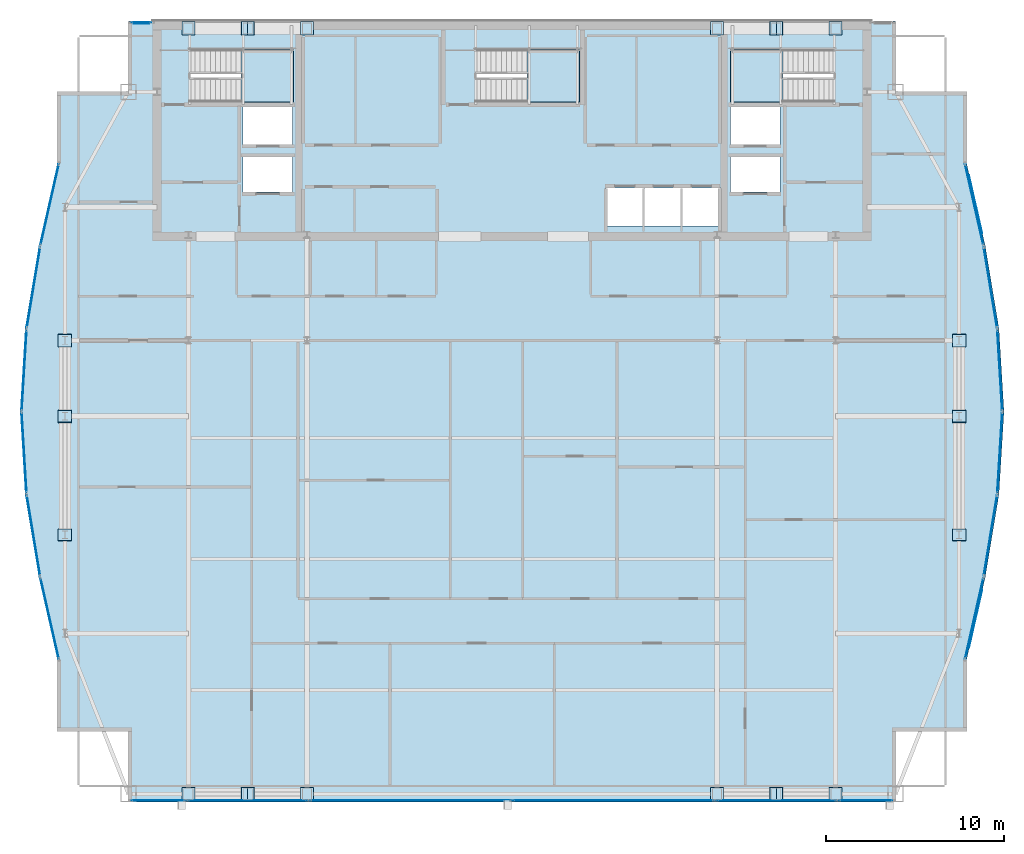
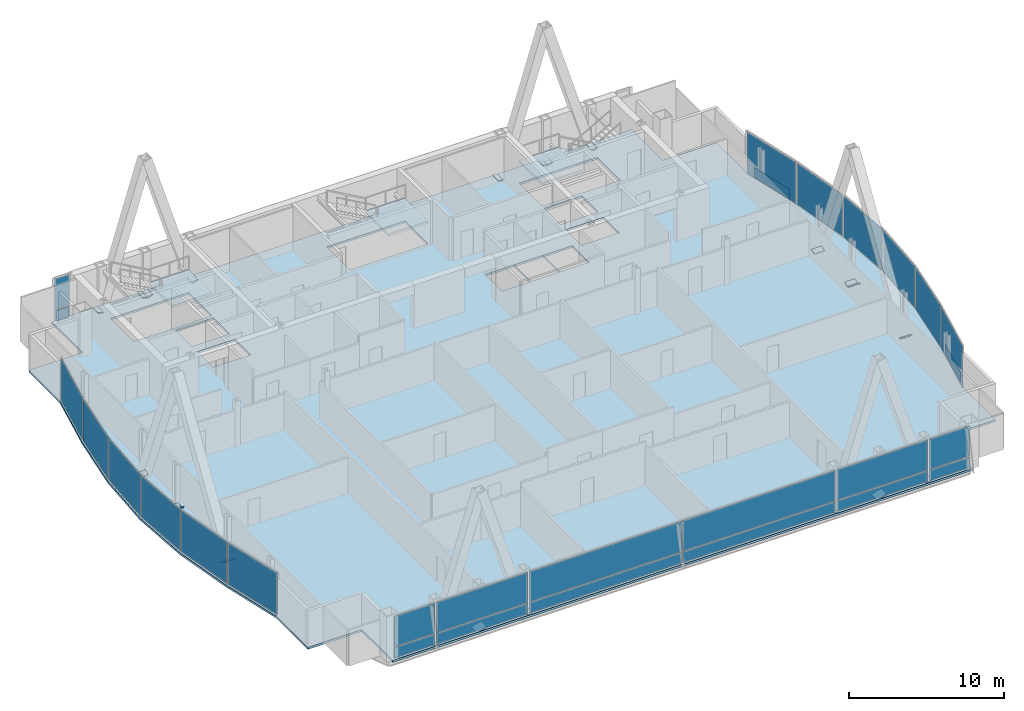
# One storey, part 25 of 31: 53 plates, 4 slabs, 21 elements without a shape of their own.
"""IFC4 building model written with IfcOpenShell, lengths in metres."""

from ifc_helpers import new_model, si_unit, direction, frame, origin, origin_2d, place, context, subcontext, project, spatial, polyline, rectangle, outline, extrude, material, layer, layer_set, type_object, element, aggregate, save


model = new_model("IFC4")

# Units and contexts
model_context = context("Model", 3, precision=1e-05, world=origin(), true_north=direction((0.0, 1.0)))
body_context = subcontext(model_context, "Body", "Model", "MODEL_VIEW")
ifc_project = project(units=[si_unit("LENGTHUNIT", "METRE"), si_unit("AREAUNIT", "SQUARE_METRE"), si_unit("VOLUMEUNIT", "CUBIC_METRE"), si_unit("PLANEANGLEUNIT", "RADIAN"), si_unit("MASSUNIT", "GRAM", prefix="KILO")], contexts=[model_context])

# Site, building, storey
site_placement = place(None, origin())
site = spatial("IfcSite", under=ifc_project, at=site_placement, CompositionType="ELEMENT")
building_placement = place(site_placement, origin())
building = spatial("IfcBuilding", under=site, at=building_placement, Name="Khoronbel Lancet Exchange", CompositionType="ELEMENT")
storey_placement = place(building_placement, frame((0.0, 0.0, 325.39990234375)))
storey = spatial("IfcBuildingStorey", under=building, at=storey_placement, Name="L84", CompositionType="ELEMENT", Elevation=325.39990234375)

# Curtain wall, plate
ifc_material_1 = material(Name="Low-E Solar Control Insulating Glass", Category="glass")
curtain_wall_type_1 = type_object("IfcCurtainWallType", Name="CW-4", PredefinedType="NOTDEFINED", material=ifc_material_1)
curtain_wall_1_placement = place(storey_placement, origin())
curtain_wall_1 = element("IfcCurtainWall", 1, at=curtain_wall_1_placement, inside=storey, type_object=curtain_wall_type_1, Name="Unitised curtain wall CW-L84-E05", PredefinedType="NOTDEFINED")
ifc_material_2 = material(Name="Bronze-Anodised Aluminium 6063-T6", Category="aluminium")
ifc_layer_1 = layer(ifc_material_2, 0.050048828125, Name="Bronze-Anodised Aluminium 6063-T6")
ifc_layer_set_1 = layer_set([ifc_layer_1], Name="Bronze-Anodised Aluminium 6063-T6")
plate_type_1 = type_object("IfcPlateType", Name="PLT-CSP1", PredefinedType="SHEET", material=ifc_layer_set_1)
plate_1_placement = place(storey_placement, frame((9.497314453125, 24.713623046875, 0.085205078125), z_axis=(0.0, 0.0, 1.0), x_axis=(-0.163334480321, 0.98657075141, 0.0)))
plate_1 = element("IfcPlate", 2, at=plate_1_placement, type_object=plate_type_1, Name="CW4 panel 1.1", PredefinedType="CURTAIN_PANEL", context=body_context, shape_type="SweptSolid", body=[
    extrude(rectangle(XDim=4.57275390625, YDim=0.0380859375, at=origin_2d()), origin(), (0.0, 0.0, 1.0), 3.27001953125),
])
aggregate(curtain_wall_1, [plate_1])

curtain_wall_2_placement = place(storey_placement, origin())
curtain_wall_2 = element("IfcCurtainWall", 3, at=curtain_wall_2_placement, inside=storey, type_object=curtain_wall_type_1, Name="Unitised curtain wall CW-L84-E06", PredefinedType="NOTDEFINED")
plate_2_placement = place(storey_placement, frame((8.970458984375, 29.37158203125, 0.085205078125), z_axis=(0.0, 0.0, 1.0), x_axis=(-0.060491177294, 0.998168731964, 0.0)))
plate_2 = element("IfcPlate", 4, at=plate_2_placement, type_object=plate_type_1, Name="CW4 panel 1.1", PredefinedType="CURTAIN_PANEL", context=body_context, shape_type="SweptSolid", body=[
    extrude(rectangle(XDim=4.51513671875, YDim=0.0380859375, at=origin_2d()), origin(), (0.0, 0.0, 1.0), 3.27001953125),
])
aggregate(curtain_wall_2, [plate_2])

curtain_wall_3_placement = place(storey_placement, origin())
curtain_wall_3 = element("IfcCurtainWall", 5, at=curtain_wall_3_placement, inside=storey, type_object=curtain_wall_type_1, Name="Unitised curtain wall CW-L84-E07", PredefinedType="NOTDEFINED")
plate_3_placement = place(storey_placement, frame((8.970458984375, 34.0283203125, 0.085205078125), z_axis=(0.0, 0.0, 1.0), x_axis=(0.060491177294, 0.998168731964, 0.0)))
plate_3 = element("IfcPlate", 6, at=plate_3_placement, type_object=plate_type_1, Name="CW4 panel 1.1", PredefinedType="CURTAIN_PANEL", context=body_context, shape_type="SweptSolid", body=[
    extrude(rectangle(XDim=4.51513671875, YDim=0.0380859375, at=origin_2d()), origin(), (0.0, 0.0, 1.0), 3.27001953125),
])
aggregate(curtain_wall_3, [plate_3])

curtain_wall_4_placement = place(storey_placement, origin())
curtain_wall_4 = element("IfcCurtainWall", 7, at=curtain_wall_4_placement, inside=storey, type_object=curtain_wall_type_1, Name="Unitised curtain wall CW-L84-E08", PredefinedType="NOTDEFINED")
plate_4_placement = place(storey_placement, frame((9.497314453125, 38.686279296875, 0.085205078125), z_axis=(0.0, 0.0, 1.0), x_axis=(0.163334480321, 0.98657075141, 0.0)))
plate_4 = element("IfcPlate", 8, at=plate_4_placement, type_object=plate_type_1, Name="CW4 panel 1.1", PredefinedType="CURTAIN_PANEL", context=body_context, shape_type="SweptSolid", body=[
    extrude(rectangle(XDim=4.57275390625, YDim=0.0380859375, at=origin_2d()), origin(), (0.0, 0.0, 1.0), 3.27001953125),
])
aggregate(curtain_wall_4, [plate_4])

curtain_wall_type_2 = type_object("IfcCurtainWallType", Name="CW-3", PredefinedType="NOTDEFINED", material=ifc_material_1)
curtain_wall_5_placement = place(storey_placement, origin())
curtain_wall_5 = element("IfcCurtainWall", 9, at=curtain_wall_5_placement, inside=storey, type_object=curtain_wall_type_2, Name="Unitised curtain wall CW-L84-NWFLK", PredefinedType="NOTDEFINED")
plate_5_placement = place(storey_placement, frame((15.580078125, 53.550048828125, 0.05029296875), z_axis=(0.0, 0.0, 1.0), x_axis=(-1.0, 0.0, 0.0)))
plate_5 = element("IfcPlate", 10, at=plate_5_placement, type_object=plate_type_1, Name="Insulated bronze spandrel cassette CW-L84-NWFLK", PredefinedType="SHEET", context=body_context, shape_type="SweptSolid", body=[
    extrude(rectangle(XDim=0.89599609375, YDim=0.050048828125, at=origin_2d()), origin(), (0.0, 0.0, 1.0), 0.800048828125),
])

curtain_wall_6_placement = place(storey_placement, origin())
curtain_wall_6 = element("IfcCurtainWall", 11, at=curtain_wall_6_placement, inside=storey, type_object=curtain_wall_type_1, Name="Unitised curtain wall CW-L84-E17", PredefinedType="NOTDEFINED")
plate_6_placement = place(storey_placement, frame((62.547119140625, 43.3662109375, 0.05029296875), z_axis=(0.0, 0.0, 1.0), x_axis=(0.220579196078, -0.975369067716, 0.0)))
plate_6 = element("IfcPlate", 12, at=plate_6_placement, type_object=plate_type_1, Name="Insulated bronze spandrel cassette CW-L84-E17", PredefinedType="SHEET", context=body_context, shape_type="SweptSolid", body=[
    extrude(rectangle(XDim=3.3544921875, YDim=0.050048828125, at=origin_2d()), origin(), (0.0, 0.0, 1.0), 0.800048828125),
])

curtain_wall_7_placement = place(storey_placement, origin())
curtain_wall_7 = element("IfcCurtainWall", 13, at=curtain_wall_7_placement, inside=storey, type_object=curtain_wall_type_1, Name="Unitised curtain wall CW-L84-E18", PredefinedType="NOTDEFINED")
plate_7_placement = place(storey_placement, frame((63.402587890625, 38.686279296875, 0.085205078125), z_axis=(0.0, 0.0, 1.0), x_axis=(0.163334480321, -0.98657075141, 0.0)))
plate_7 = element("IfcPlate", 14, at=plate_7_placement, type_object=plate_type_1, Name="CW4 panel 1.1", PredefinedType="CURTAIN_PANEL", context=body_context, shape_type="SweptSolid", body=[
    extrude(rectangle(XDim=4.57275390625, YDim=0.0380859375, at=origin_2d()), origin(), (0.0, 0.0, 1.0), 3.27001953125),
])
aggregate(curtain_wall_7, [plate_7])

curtain_wall_8_placement = place(storey_placement, origin())
curtain_wall_8 = element("IfcCurtainWall", 15, at=curtain_wall_8_placement, inside=storey, type_object=curtain_wall_type_1, Name="Unitised curtain wall CW-L84-E19", PredefinedType="NOTDEFINED")
plate_8_placement = place(storey_placement, frame((63.929443359375, 34.0283203125, 0.085205078125), z_axis=(0.0, 0.0, 1.0), x_axis=(0.060491177294, -0.998168731964, 0.0)))
plate_8 = element("IfcPlate", 16, at=plate_8_placement, type_object=plate_type_1, Name="CW4 panel 1.1", PredefinedType="CURTAIN_PANEL", context=body_context, shape_type="SweptSolid", body=[
    extrude(rectangle(XDim=4.51513671875, YDim=0.0380859375, at=origin_2d()), origin(), (0.0, 0.0, 1.0), 3.27001953125),
])
aggregate(curtain_wall_8, [plate_8])

curtain_wall_9_placement = place(storey_placement, origin())
curtain_wall_9 = element("IfcCurtainWall", 17, at=curtain_wall_9_placement, inside=storey, type_object=curtain_wall_type_1, Name="Unitised curtain wall CW-L84-E20", PredefinedType="NOTDEFINED")
plate_9_placement = place(storey_placement, frame((63.929443359375, 29.37158203125, 0.085205078125), z_axis=(0.0, 0.0, 1.0), x_axis=(-0.060491177294, -0.998168731964, 0.0)))
plate_9 = element("IfcPlate", 18, at=plate_9_placement, type_object=plate_type_1, Name="CW4 panel 1.1", PredefinedType="CURTAIN_PANEL", context=body_context, shape_type="SweptSolid", body=[
    extrude(rectangle(XDim=4.51513671875, YDim=0.0380859375, at=origin_2d()), origin(), (0.0, 0.0, 1.0), 3.27001953125),
])
aggregate(curtain_wall_9, [plate_9])

curtain_wall_10_placement = place(storey_placement, origin())
curtain_wall_10 = element("IfcCurtainWall", 19, at=curtain_wall_10_placement, inside=storey, type_object=curtain_wall_type_1, Name="Unitised curtain wall CW-L84-E21", PredefinedType="NOTDEFINED")
plate_10_placement = place(storey_placement, frame((63.402587890625, 24.713623046875, 0.085205078125), z_axis=(0.0, 0.0, 1.0), x_axis=(-0.163334480321, -0.98657075141, 0.0)))
plate_10 = element("IfcPlate", 20, at=plate_10_placement, type_object=plate_type_1, Name="CW4 panel 1.1", PredefinedType="CURTAIN_PANEL", context=body_context, shape_type="SweptSolid", body=[
    extrude(rectangle(XDim=4.57275390625, YDim=0.0380859375, at=origin_2d()), origin(), (0.0, 0.0, 1.0), 3.27001953125),
])
aggregate(curtain_wall_10, [plate_10])

curtain_wall_11_placement = place(storey_placement, origin())
curtain_wall_11 = element("IfcCurtainWall", 21, at=curtain_wall_11_placement, inside=storey, type_object=curtain_wall_type_1, Name="Unitised curtain wall CW-L84-E22", PredefinedType="NOTDEFINED")
plate_11_placement = place(storey_placement, frame((62.547119140625, 20.03369140625, 0.05029296875), z_axis=(0.0, 0.0, 1.0), x_axis=(-0.220579196078, -0.975369067716, 0.0)))
plate_11 = element("IfcPlate", 22, at=plate_11_placement, type_object=plate_type_1, Name="Insulated bronze spandrel cassette CW-L84-E22", PredefinedType="SHEET", context=body_context, shape_type="SweptSolid", body=[
    extrude(rectangle(XDim=3.3544921875, YDim=0.050048828125, at=origin_2d()), origin(), (0.0, 0.0, 1.0), 0.800048828125),
])

# Curtain wall, plates
curtain_wall_12_placement = place(storey_placement, origin())
curtain_wall_12 = element("IfcCurtainWall", 23, at=curtain_wall_12_placement, inside=storey, type_object=curtain_wall_type_2, Name="Unitised curtain wall CW-L84-SWB", PredefinedType="NOTDEFINED")
plate_12_placement = place(storey_placement, frame((21.550048828125, 9.7900390625, 0.0849609375), z_axis=(0.0, 0.0, 1.0), x_axis=(1.0, 0.0, 0.0)))
plate_12 = element("IfcPlate", 24, at=plate_12_placement, type_object=plate_type_1, Name="CW3 panel 1.1", PredefinedType="CURTAIN_PANEL", context=body_context, shape_type="SweptSolid", body=[
    extrude(rectangle(XDim=6.72998046875, YDim=0.0380859375, at=origin_2d()), origin(), (0.0, 0.0, 1.0), 0.822509765625),
])
plate_13_placement = place(storey_placement, frame((21.550048828125, 9.7900390625, 0.99267578125), z_axis=(0.0, 0.0, 1.0), x_axis=(1.0, 0.0, 0.0)))
plate_13 = element("IfcPlate", 25, at=plate_13_placement, type_object=plate_type_1, Name="CW3 panel 1.2", PredefinedType="CURTAIN_PANEL", context=body_context, shape_type="SweptSolid", body=[
    extrude(rectangle(XDim=6.72998046875, YDim=0.0380859375, at=origin_2d()), origin(), (0.0, 0.0, 1.0), 2.362548828125),
])
aggregate(curtain_wall_12, [plate_12, plate_13])

curtain_wall_13_placement = place(storey_placement, origin())
curtain_wall_13 = element("IfcCurtainWall", 26, at=curtain_wall_13_placement, inside=storey, type_object=curtain_wall_type_2, Name="Unitised curtain wall CW-L84-SEB", PredefinedType="NOTDEFINED")
plate_14_placement = place(storey_placement, frame((51.35009765625, 9.7900390625, 0.0849609375), z_axis=(0.0, 0.0, 1.0), x_axis=(1.0, 0.0, 0.0)))
plate_14 = element("IfcPlate", 27, at=plate_14_placement, type_object=plate_type_1, Name="CW3 panel 1.1", PredefinedType="CURTAIN_PANEL", context=body_context, shape_type="SweptSolid", body=[
    extrude(rectangle(XDim=6.72998046875, YDim=0.0380859375, at=origin_2d()), origin(), (0.0, 0.0, 1.0), 0.822509765625),
])
plate_15_placement = place(storey_placement, frame((51.35009765625, 9.7900390625, 0.99267578125), z_axis=(0.0, 0.0, 1.0), x_axis=(1.0, 0.0, 0.0)))
plate_15 = element("IfcPlate", 28, at=plate_15_placement, type_object=plate_type_1, Name="CW3 panel 1.2", PredefinedType="CURTAIN_PANEL", context=body_context, shape_type="SweptSolid", body=[
    extrude(rectangle(XDim=6.72998046875, YDim=0.0380859375, at=origin_2d()), origin(), (0.0, 0.0, 1.0), 2.362548828125),
])
aggregate(curtain_wall_13, [plate_14, plate_15])

# Plate
ifc_layer_2 = layer(ifc_material_1, 0.035888671875, Name="Low-E Solar Control Insulating Glass")
ifc_layer_set_2 = layer_set([ifc_layer_2], Name="Low-E Solar Control Insulating Glass")
plate_type_2 = type_object("IfcPlateType", Name="PLT-CWP1", PredefinedType="CURTAIN_PANEL", material=ifc_layer_set_2)
plate_16_placement = place(storey_placement, frame((15.580078125, 53.610107421875, 0.0849609375), z_axis=(0.0, 0.0, 1.0), x_axis=(-1.0, 0.0, 0.0)))
plate_16 = element("IfcPlate", 29, at=plate_16_placement, type_object=plate_type_2, Name="CW3 panel 1.1", PredefinedType="CURTAIN_PANEL", context=body_context, shape_type="SweptSolid", body=[
    extrude(rectangle(XDim=1.110107421875, YDim=0.0380859375, at=origin_2d()), origin(), (0.0, 0.0, 1.0), 0.822509765625),
])

plate_17_placement = place(storey_placement, frame((15.580078125, 53.610107421875, 0.99267578125), z_axis=(0.0, 0.0, 1.0), x_axis=(-1.0, 0.0, 0.0)))
plate_17 = element("IfcPlate", 30, at=plate_17_placement, type_object=plate_type_2, Name="CW3 panel 1.2", PredefinedType="CURTAIN_PANEL", context=body_context, shape_type="SweptSolid", body=[
    extrude(rectangle(XDim=1.110107421875, YDim=0.0380859375, at=origin_2d()), origin(), (0.0, 0.0, 1.0), 2.362548828125),
])

aggregate(curtain_wall_5, [plate_16, plate_17, plate_5])

# Curtain wall, plates
curtain_wall_14_placement = place(storey_placement, origin())
curtain_wall_14 = element("IfcCurtainWall", 31, at=curtain_wall_14_placement, inside=storey, type_object=curtain_wall_type_2, Name="Unitised curtain wall CW-L84-SWV", PredefinedType="NOTDEFINED")
plate_18_placement = place(storey_placement, frame((16.52001953125, 9.7900390625, 0.0849609375), z_axis=(0.0, 0.0, 1.0), x_axis=(1.0, 0.0, 0.0)))
plate_18 = element("IfcPlate", 32, at=plate_18_placement, type_object=plate_type_2, Name="CW3 panel 1.1", PredefinedType="CURTAIN_PANEL", context=body_context, shape_type="SweptSolid", body=[
    extrude(rectangle(XDim=2.989990234375, YDim=0.0380859375, at=origin_2d()), origin(), (0.0, 0.0, 1.0), 0.822509765625),
])
plate_19_placement = place(storey_placement, frame((16.52001953125, 9.7900390625, 0.99267578125), z_axis=(0.0, 0.0, 1.0), x_axis=(1.0, 0.0, 0.0)))
plate_19 = element("IfcPlate", 33, at=plate_19_placement, type_object=plate_type_2, Name="CW3 panel 1.2", PredefinedType="CURTAIN_PANEL", context=body_context, shape_type="SweptSolid", body=[
    extrude(rectangle(XDim=2.989990234375, YDim=0.0380859375, at=origin_2d()), origin(), (0.0, 0.0, 1.0), 2.362548828125),
])
aggregate(curtain_wall_14, [plate_18, plate_19])

curtain_wall_15_placement = place(storey_placement, origin())
curtain_wall_15 = element("IfcCurtainWall", 34, at=curtain_wall_15_placement, inside=storey, type_object=curtain_wall_type_2, Name="Unitised curtain wall CW-L84-SCV", PredefinedType="NOTDEFINED")
plate_20_placement = place(storey_placement, frame((30.746337890625, 9.7900390625, 0.0849609375), z_axis=(0.0, 0.0, 1.0), x_axis=(1.0, 0.0, 0.0)))
plate_20 = element("IfcPlate", 35, at=plate_20_placement, type_object=plate_type_2, Name="CW3 panel 1.1", PredefinedType="CURTAIN_PANEL", context=body_context, shape_type="SweptSolid", body=[
    extrude(rectangle(XDim=11.322509765625, YDim=0.0380859375, at=origin_2d()), origin(), (0.0, 0.0, 1.0), 0.822509765625),
])
plate_21_placement = place(storey_placement, frame((30.746337890625, 9.7900390625, 0.99267578125), z_axis=(0.0, 0.0, 1.0), x_axis=(1.0, 0.0, 0.0)))
plate_21 = element("IfcPlate", 36, at=plate_21_placement, type_object=plate_type_2, Name="CW3 panel 1.2", PredefinedType="CURTAIN_PANEL", context=body_context, shape_type="SweptSolid", body=[
    extrude(rectangle(XDim=11.322509765625, YDim=0.0380859375, at=origin_2d()), origin(), (0.0, 0.0, 1.0), 2.362548828125),
])
plate_22_placement = place(storey_placement, frame((42.15380859375, 9.7900390625, 0.0849609375), z_axis=(0.0, 0.0, 1.0), x_axis=(1.0, 0.0, 0.0)))
plate_22 = element("IfcPlate", 37, at=plate_22_placement, type_object=plate_type_2, Name="CW3 panel 2.1", PredefinedType="CURTAIN_PANEL", context=body_context, shape_type="SweptSolid", body=[
    extrude(rectangle(XDim=11.322509765625, YDim=0.0380859375, at=origin_2d()), origin(), (0.0, 0.0, 1.0), 0.822509765625),
])
plate_23_placement = place(storey_placement, frame((42.15380859375, 9.7900390625, 0.99267578125), z_axis=(0.0, 0.0, 1.0), x_axis=(1.0, 0.0, 0.0)))
plate_23 = element("IfcPlate", 38, at=plate_23_placement, type_object=plate_type_2, Name="CW3 panel 2.2", PredefinedType="CURTAIN_PANEL", context=body_context, shape_type="SweptSolid", body=[
    extrude(rectangle(XDim=11.322509765625, YDim=0.0380859375, at=origin_2d()), origin(), (0.0, 0.0, 1.0), 2.362548828125),
])
aggregate(curtain_wall_15, [plate_20, plate_21, plate_22, plate_23])

curtain_wall_16_placement = place(storey_placement, origin())
curtain_wall_16 = element("IfcCurtainWall", 39, at=curtain_wall_16_placement, inside=storey, type_object=curtain_wall_type_2, Name="Unitised curtain wall CW-L84-SEV", PredefinedType="NOTDEFINED")
plate_24_placement = place(storey_placement, frame((56.3798828125, 9.7900390625, 0.0849609375), z_axis=(0.0, 0.0, 1.0), x_axis=(1.0, 0.0, 0.0)))
plate_24 = element("IfcPlate", 40, at=plate_24_placement, type_object=plate_type_2, Name="CW3 panel 1.1", PredefinedType="CURTAIN_PANEL", context=body_context, shape_type="SweptSolid", body=[
    extrude(rectangle(XDim=2.989990234375, YDim=0.0380859375, at=origin_2d()), origin(), (0.0, 0.0, 1.0), 0.822509765625),
])
plate_25_placement = place(storey_placement, frame((56.3798828125, 9.7900390625, 0.99267578125), z_axis=(0.0, 0.0, 1.0), x_axis=(1.0, 0.0, 0.0)))
plate_25 = element("IfcPlate", 41, at=plate_25_placement, type_object=plate_type_2, Name="CW3 panel 1.2", PredefinedType="CURTAIN_PANEL", context=body_context, shape_type="SweptSolid", body=[
    extrude(rectangle(XDim=2.989990234375, YDim=0.0380859375, at=origin_2d()), origin(), (0.0, 0.0, 1.0), 2.362548828125),
])
aggregate(curtain_wall_16, [plate_24, plate_25])

# Curtain wall, plate
curtain_wall_17_placement = place(storey_placement, origin())
curtain_wall_17 = element("IfcCurtainWall", 42, at=curtain_wall_17_placement, inside=storey, type_object=curtain_wall_type_1, Name="Unitised curtain wall CW-L84-E04", PredefinedType="NOTDEFINED")
ifc_material_3 = material(Name="Ceramic-Fritted Laminated Insulating Glass", Category="glass")
ifc_layer_3 = layer(ifc_material_3, 0.0419921875, Name="Ceramic-Fritted Laminated Insulating Glass")
ifc_layer_set_3 = layer_set([ifc_layer_3], Name="Ceramic-Fritted Laminated Insulating Glass")
plate_type_3 = type_object("IfcPlateType", Name="PLT-CWP2", PredefinedType="CURTAIN_PANEL", material=ifc_layer_set_3)
plate_26_placement = place(storey_placement, frame((10.41162109375, 20.047119140625, 0.085205078125), z_axis=(0.0, 0.0, 1.0), x_axis=(-0.220579196078, 0.975369067716, 0.0)))
plate_26 = element("IfcPlate", 43, at=plate_26_placement, type_object=plate_type_3, Name="CW4 panel 1.1", PredefinedType="CURTAIN_PANEL", context=body_context, shape_type="SweptSolid", body=[
    extrude(rectangle(XDim=4.641845703125, YDim=0.0380859375, at=origin_2d()), origin(), (0.0, 0.0, 1.0), 3.27001953125),
])
aggregate(curtain_wall_17, [plate_26])

curtain_wall_18_placement = place(storey_placement, origin())
curtain_wall_18 = element("IfcCurtainWall", 44, at=curtain_wall_18_placement, inside=storey, type_object=curtain_wall_type_1, Name="Unitised curtain wall CW-L84-E09", PredefinedType="NOTDEFINED")
plate_27_placement = place(storey_placement, frame((10.41162109375, 43.35302734375, 0.085205078125), z_axis=(0.0, 0.0, 1.0), x_axis=(0.220579196078, 0.975369067716, 0.0)))
plate_27 = element("IfcPlate", 45, at=plate_27_placement, type_object=plate_type_3, Name="CW4 panel 1.1", PredefinedType="CURTAIN_PANEL", context=body_context, shape_type="SweptSolid", body=[
    extrude(rectangle(XDim=4.641845703125, YDim=0.0380859375, at=origin_2d()), origin(), (0.0, 0.0, 1.0), 3.27001953125),
])
aggregate(curtain_wall_18, [plate_27])

# Plate
plate_28_placement = place(storey_placement, frame((62.488525390625, 43.35302734375, 0.085205078125), z_axis=(0.0, 0.0, 1.0), x_axis=(0.220579196078, -0.975369067716, 0.0)))
plate_28 = element("IfcPlate", 46, at=plate_28_placement, type_object=plate_type_3, Name="CW4 panel 1.1", PredefinedType="CURTAIN_PANEL", context=body_context, shape_type="SweptSolid", body=[
    extrude(rectangle(XDim=4.641845703125, YDim=0.0380859375, at=origin_2d()), origin(), (0.0, 0.0, 1.0), 3.27001953125),
])

aggregate(curtain_wall_6, [plate_28, plate_6])

plate_29_placement = place(storey_placement, frame((62.488525390625, 20.047119140625, 0.085205078125), z_axis=(0.0, 0.0, 1.0), x_axis=(-0.220579196078, -0.975369067716, 0.0)))
plate_29 = element("IfcPlate", 47, at=plate_29_placement, type_object=plate_type_3, Name="CW4 panel 1.1", PredefinedType="CURTAIN_PANEL", context=body_context, shape_type="SweptSolid", body=[
    extrude(rectangle(XDim=4.641845703125, YDim=0.0380859375, at=origin_2d()), origin(), (0.0, 0.0, 1.0), 3.27001953125),
])

aggregate(curtain_wall_11, [plate_29, plate_11])

# Plates
ifc_material_4 = material(Name="Steel S460", Category="steel")
ifc_layer_4 = layer(ifc_material_4, 0.044921875, Name="Steel S460")
ifc_layer_set_4 = layer_set([ifc_layer_4], Name="Steel S460")
plate_type_4 = type_object("IfcPlateType", Name="PLT-ECP1", PredefinedType="USERDEFINED", material=ifc_layer_set_4)
for number, where, z_axis, x_axis, name in (
    (48, (21.935302734375, 9.77001953125, -0.08056640625), (0.295236958021, 0.0, 0.955424062193), (0.0, 1.0, 0.0), "Hollow end cap plate PLT-CAP-MEM-MB-T28-S-W-L-1"),
    (49, (21.189697265625, 10.530029296875, -0.08056640625), (-0.295236958021, 0.0, 0.955424062193), (0.0, -1.0, 0.0), "Hollow end cap plate PLT-CAP-MEM-MB-T28-S-W-R-1"),
    (50, (51.710205078125, 9.77001953125, -0.08056640625), (0.295236958021, 0.0, 0.955424062193), (0.0, 1.0, 0.0), "Hollow end cap plate PLT-CAP-MEM-MB-T28-S-E-L-1"),
):
    element("IfcPlate", number, at=place(storey_placement, frame(where, z_axis=z_axis, x_axis=x_axis)), inside=storey, type_object=plate_type_4, Name=name, ObjectType="STIFFENER_PLATE", PredefinedType="USERDEFINED", context=body_context, shape_type="SweptSolid", body=[
        extrude(outline(polyline([(0.0, 0.0), (0.760009765625, 0.0), (0.760009765625, 0.760009765625), (0.0, 0.760009765625), (0.0, 0.0)])), origin(), (0.0, 0.0, -1.0), 0.044921875),
    ])
plate_30_placement = place(storey_placement, frame((50.964599609375, 10.530029296875, -0.08056640625), z_axis=(-0.295146364908, 0.0, 0.955452051796), x_axis=(0.0, -1.0, 0.0)))
element("IfcPlate", 51, at=plate_30_placement, inside=storey, type_object=plate_type_4, Name="Hollow end cap plate PLT-CAP-MEM-MB-T28-S-E-R-1", ObjectType="STIFFENER_PLATE", PredefinedType="USERDEFINED", context=body_context, shape_type="SweptSolid", body=[
    extrude(outline(polyline([(0.0, 0.0), (0.760009765625, 0.0), (0.760009765625, 0.76025390625), (0.0, 0.76025390625), (0.0, 0.0)])), origin(), (0.0, 0.0, -1.0), 0.044921875),
])
for number, where, z_axis, x_axis, name in (
    (52, (21.935302734375, 52.89990234375, -0.08056640625), (0.295236958021, 0.0, 0.955424062193), (0.0, 1.0, 0.0), "Hollow end cap plate PLT-CAP-MEM-MB-T28-N-W-L-1"),
    (53, (21.189697265625, 53.659912109375, -0.08056640625), (-0.295236958021, 0.0, 0.955424062193), (0.0, -1.0, 0.0), "Hollow end cap plate PLT-CAP-MEM-MB-T28-N-W-R-1"),
    (54, (51.710205078125, 52.89990234375, -0.08056640625), (0.295236958021, 0.0, 0.955424062193), (0.0, 1.0, 0.0), "Hollow end cap plate PLT-CAP-MEM-MB-T28-N-E-L-1"),
):
    element("IfcPlate", number, at=place(storey_placement, frame(where, z_axis=z_axis, x_axis=x_axis)), inside=storey, type_object=plate_type_4, Name=name, ObjectType="STIFFENER_PLATE", PredefinedType="USERDEFINED", context=body_context, shape_type="SweptSolid", body=[
        extrude(outline(polyline([(0.0, 0.0), (0.760009765625, 0.0), (0.760009765625, 0.760009765625), (0.0, 0.760009765625), (0.0, 0.0)])), origin(), (0.0, 0.0, -1.0), 0.044921875),
    ])
plate_31_placement = place(storey_placement, frame((50.964599609375, 53.659912109375, -0.08056640625), z_axis=(-0.295146364908, 0.0, 0.955452051796), x_axis=(0.0, -1.0, 0.0)))
element("IfcPlate", 55, at=plate_31_placement, inside=storey, type_object=plate_type_4, Name="Hollow end cap plate PLT-CAP-MEM-MB-T28-N-E-R-1", ObjectType="STIFFENER_PLATE", PredefinedType="USERDEFINED", context=body_context, shape_type="SweptSolid", body=[
    extrude(outline(polyline([(0.0, 0.0), (0.760009765625, 0.0), (0.760009765625, 0.76025390625), (0.0, 0.76025390625), (0.0, 0.0)])), origin(), (0.0, 0.0, -1.0), 0.044921875),
])
for number, where, z_axis, x_axis, name in (
    (56, (11.64990234375, 31.765625, -0.171630859375), (0.0, 0.525834774126, 0.850586732979), (-1.0, 0.0, 0.0), "Hollow end cap plate PLT-CAP-MEM-MB-T28-W-P-L-1"),
    (57, (10.889892578125, 31.0595703125, -0.109130859375), (0.0, -0.368175750156, 0.929756213745), (1.0, 0.0, 0.0), "Hollow end cap plate PLT-CAP-MEM-MB-T28-W-P-R-1"),
    (58, (62.010009765625, 31.765625, -0.171630859375), (0.0, 0.525834774126, 0.850586732979), (-1.0, 0.0, 0.0), "Hollow end cap plate PLT-CAP-MEM-MB-T28-E-P-L-1"),
    (59, (61.25, 31.0595703125, -0.109130859375), (0.0, -0.368175750156, 0.929756213745), (1.0, 0.0, 0.0), "Hollow end cap plate PLT-CAP-MEM-MB-T28-E-P-R-1"),
    (60, (18.591552734375, 9.77001953125, -0.1005859375), (0.295236958021, 0.0, 0.955424062193), (0.0, 1.0, 0.0), "Hollow end cap plate PLT-CAP-MEM-MB-T29-S-W-L-0"),
    (61, (24.533447265625, 10.530029296875, -0.1005859375), (-0.295236958021, 0.0, 0.955424062193), (0.0, -1.0, 0.0), "Hollow end cap plate PLT-CAP-MEM-MB-T29-S-W-R-0"),
):
    element("IfcPlate", number, at=place(storey_placement, frame(where, z_axis=z_axis, x_axis=x_axis)), inside=storey, type_object=plate_type_4, Name=name, ObjectType="STIFFENER_PLATE", PredefinedType="USERDEFINED", context=body_context, shape_type="SweptSolid", body=[
        extrude(outline(polyline([(0.0, 0.0), (0.760009765625, 0.0), (0.760009765625, 0.760009765625), (0.0, 0.760009765625), (0.0, 0.0)])), origin(), (0.0, 0.0, -1.0), 0.044921875),
    ])
plate_32_placement = place(storey_placement, frame((48.36669921875, 9.77001953125, -0.1005859375), z_axis=(0.295146364908, 0.0, 0.955452051796), x_axis=(0.0, 1.0, 0.0)))
element("IfcPlate", 62, at=plate_32_placement, inside=storey, type_object=plate_type_4, Name="Hollow end cap plate PLT-CAP-MEM-MB-T29-S-E-L-0", ObjectType="STIFFENER_PLATE", PredefinedType="USERDEFINED", context=body_context, shape_type="SweptSolid", body=[
    extrude(outline(polyline([(0.0, 0.0), (0.760009765625, 0.0), (0.760009765625, 0.76025390625), (0.0, 0.76025390625), (0.0, 0.0)])), origin(), (0.0, 0.0, -1.0), 0.044921875),
])
for number, where, z_axis, x_axis, name in (
    (63, (54.308349609375, 10.530029296875, -0.1005859375), (-0.295236958021, 0.0, 0.955424062193), (0.0, -1.0, 0.0), "Hollow end cap plate PLT-CAP-MEM-MB-T29-S-E-R-0"),
    (64, (18.591552734375, 52.89990234375, -0.1005859375), (0.295236958021, 0.0, 0.955424062193), (0.0, 1.0, 0.0), "Hollow end cap plate PLT-CAP-MEM-MB-T29-N-W-L-0"),
    (65, (24.533447265625, 53.659912109375, -0.1005859375), (-0.295236958021, 0.0, 0.955424062193), (0.0, -1.0, 0.0), "Hollow end cap plate PLT-CAP-MEM-MB-T29-N-W-R-0"),
):
    element("IfcPlate", number, at=place(storey_placement, frame(where, z_axis=z_axis, x_axis=x_axis)), inside=storey, type_object=plate_type_4, Name=name, ObjectType="STIFFENER_PLATE", PredefinedType="USERDEFINED", context=body_context, shape_type="SweptSolid", body=[
        extrude(outline(polyline([(0.0, 0.0), (0.760009765625, 0.0), (0.760009765625, 0.760009765625), (0.0, 0.760009765625), (0.0, 0.0)])), origin(), (0.0, 0.0, -1.0), 0.044921875),
    ])
plate_33_placement = place(storey_placement, frame((48.36669921875, 52.89990234375, -0.1005859375), z_axis=(0.295146364908, 0.0, 0.955452051796), x_axis=(0.0, 1.0, 0.0)))
element("IfcPlate", 66, at=plate_33_placement, inside=storey, type_object=plate_type_4, Name="Hollow end cap plate PLT-CAP-MEM-MB-T29-N-E-L-0", ObjectType="STIFFENER_PLATE", PredefinedType="USERDEFINED", context=body_context, shape_type="SweptSolid", body=[
    extrude(outline(polyline([(0.0, 0.0), (0.760009765625, 0.0), (0.760009765625, 0.76025390625), (0.0, 0.76025390625), (0.0, 0.0)])), origin(), (0.0, 0.0, -1.0), 0.044921875),
])
for number, where, z_axis, x_axis, name in (
    (67, (54.308349609375, 53.659912109375, -0.1005859375), (-0.295236958021, 0.0, 0.955424062193), (0.0, -1.0, 0.0), "Hollow end cap plate PLT-CAP-MEM-MB-T29-N-E-R-0"),
    (68, (11.64990234375, 25.07958984375, -0.189453125), (0.0, 0.525834774126, 0.850586732979), (-1.0, 0.0, 0.0), "Hollow end cap plate PLT-CAP-MEM-MB-T29-W-P-L-0"),
    (69, (10.889892578125, 35.34228515625, -0.128662109375), (0.0, -0.368175750156, 0.929756213745), (1.0, 0.0, 0.0), "Hollow end cap plate PLT-CAP-MEM-MB-T29-W-P-R-0"),
    (70, (62.010009765625, 25.07958984375, -0.189453125), (0.0, 0.525834774126, 0.850586732979), (-1.0, 0.0, 0.0), "Hollow end cap plate PLT-CAP-MEM-MB-T29-E-P-L-0"),
    (71, (61.25, 35.34228515625, -0.128662109375), (0.0, -0.368175750156, 0.929756213745), (1.0, 0.0, 0.0), "Hollow end cap plate PLT-CAP-MEM-MB-T29-E-P-R-0"),
):
    element("IfcPlate", number, at=place(storey_placement, frame(where, z_axis=z_axis, x_axis=x_axis)), inside=storey, type_object=plate_type_4, Name=name, ObjectType="STIFFENER_PLATE", PredefinedType="USERDEFINED", context=body_context, shape_type="SweptSolid", body=[
        extrude(outline(polyline([(0.0, 0.0), (0.760009765625, 0.0), (0.760009765625, 0.760009765625), (0.0, 0.760009765625), (0.0, 0.0)])), origin(), (0.0, 0.0, -1.0), 0.044921875),
    ])

# Slab
ifc_material_5 = material(Name="Concrete C40/50", Category="concrete")
ifc_layer_5 = layer(ifc_material_5, 0.159912109375, Name="Concrete C40/50")
ifc_layer_set_5 = layer_set([ifc_layer_5], Name="Concrete C40/50")
slab_type_1 = type_object("IfcSlabType", Name="SL-FL160", PredefinedType="FLOOR", material=ifc_layer_set_5)
slab_1_placement = place(storey_placement, frame((0.0, 0.0, -0.159912109375)))
element("IfcSlab", 72, at=slab_1_placement, inside=storey, type_object=slab_type_1, Name="Level L84 composite structural floor slab", PredefinedType="FLOOR", context=body_context, shape_type="SweptSolid", body=[
    extrude(outline(polyline([(14.85009765625, 9.699951171875), (58.050048828125, 9.699951171875), (58.050048828125, 13.699951171875), (62.050048828125, 13.699951171875), (62.050048828125, 17.699951171875), (63.10546875, 22.36669921875), (63.8779296875, 27.033203125), (64.160888671875, 31.699951171875), (63.8779296875, 36.36669921875), (63.10546875, 41.033203125), (62.050048828125, 45.699951171875), (62.050048828125, 49.699951171875), (58.050048828125, 49.699951171875), (58.050048828125, 53.699951171875), (14.85009765625, 53.699951171875), (14.85009765625, 49.699951171875), (10.85009765625, 49.699951171875), (10.85009765625, 45.699951171875), (9.794677734375, 41.033203125), (9.02197265625, 36.36669921875), (8.7392578125, 31.699951171875), (9.02197265625, 27.033203125), (9.794677734375, 22.36669921875), (10.85009765625, 17.699951171875), (10.85009765625, 13.699951171875), (14.85009765625, 13.699951171875), (14.85009765625, 9.699951171875)]), holes=[polyline([(18.324951171875, 49.1201171875), (24.14990234375, 49.1201171875), (24.14990234375, 52.10009765625), (18.324951171875, 52.10009765625), (18.324951171875, 49.1201171875)]), polyline([(48.75, 49.1201171875), (54.574951171875, 49.1201171875), (54.574951171875, 52.10009765625), (48.75, 52.10009765625), (48.75, 49.1201171875)]), polyline([(34.425048828125, 49.1201171875), (40.25, 49.1201171875), (40.25, 52.10009765625), (34.425048828125, 52.10009765625), (34.425048828125, 49.1201171875)]), polyline([(41.739990234375, 42.14990234375), (43.8798828125, 42.14990234375), (43.8798828125, 44.300048828125), (41.739990234375, 44.300048828125), (41.739990234375, 42.14990234375)]), polyline([(43.89990234375, 42.14990234375), (46.0400390625, 42.14990234375), (46.0400390625, 44.300048828125), (43.89990234375, 44.300048828125), (43.89990234375, 42.14990234375)]), polyline([(46.06005859375, 42.14990234375), (48.199951171875, 42.14990234375), (48.199951171875, 44.300048828125), (46.06005859375, 44.300048828125), (46.06005859375, 42.14990234375)]), polyline([(21.300048828125, 46.75), (24.10009765625, 46.75), (24.10009765625, 48.85009765625), (21.300048828125, 48.85009765625), (21.300048828125, 46.75)]), polyline([(48.75, 46.75), (51.550048828125, 46.75), (51.550048828125, 48.85009765625), (48.75, 48.85009765625), (48.75, 46.75)]), polyline([(21.300048828125, 44.050048828125), (24.10009765625, 44.050048828125), (24.10009765625, 46.050048828125), (21.300048828125, 46.050048828125), (21.300048828125, 44.050048828125)]), polyline([(48.75, 44.050048828125), (51.550048828125, 44.050048828125), (51.550048828125, 46.050048828125), (48.75, 46.050048828125), (48.75, 44.050048828125)])]), origin(), (0.0, 0.0, 1.0), 0.159912109375),
])

# Stair, slab
stair_type = type_object("IfcStairType", Name="STR-CORE150", PredefinedType="HALF_TURN_STAIR", material=ifc_material_5)
stair_1_placement = place(storey_placement, origin())
stair_1 = element("IfcStair", 73, at=stair_1_placement, inside=storey, type_object=stair_type, Name="L84 Protected Exit Stair ST1", PredefinedType="HALF_TURN_STAIR")
ifc_layer_6 = layer(ifc_material_5, 0.199951171875, Name="Concrete C40/50")
ifc_layer_set_6 = layer_set([ifc_layer_6], Name="Concrete C40/50")
slab_type_2 = type_object("IfcSlabType", Name="SL-LND180", PredefinedType="LANDING", material=ifc_layer_set_6)
slab_2_placement = place(storey_placement, frame((0.0, 0.0, 1.60009765625)))
slab_2 = element("IfcSlab", 74, at=slab_2_placement, type_object=slab_type_2, Name="ST1 landing 1", PredefinedType="LANDING", context=body_context, shape_type="SweptSolid", body=[
    extrude(outline(polyline([(21.199951171875, 49.1201171875), (24.14990234375, 49.1201171875), (24.14990234375, 52.10009765625), (21.199951171875, 52.10009765625), (21.199951171875, 49.1201171875)])), origin(), (0.0, 0.0, 1.0), 0.199951171875),
])
aggregate(stair_1, [slab_2])

stair_2_placement = place(storey_placement, origin())
stair_2 = element("IfcStair", 75, at=stair_2_placement, inside=storey, type_object=stair_type, Name="L84 Protected Exit Stair ST2", PredefinedType="HALF_TURN_STAIR")
slab_3_placement = place(storey_placement, frame((0.0, 0.0, 1.60009765625)))
slab_3 = element("IfcSlab", 76, at=slab_3_placement, type_object=slab_type_2, Name="ST2 landing 1", PredefinedType="LANDING", context=body_context, shape_type="SweptSolid", body=[
    extrude(outline(polyline([(51.699951171875, 52.10009765625), (48.75, 52.10009765625), (48.75, 49.1201171875), (51.699951171875, 49.1201171875), (51.699951171875, 52.10009765625)])), origin(), (0.0, 0.0, 1.0), 0.199951171875),
])
aggregate(stair_2, [slab_3])

stair_3_placement = place(storey_placement, origin())
stair_3 = element("IfcStair", 77, at=stair_3_placement, inside=storey, type_object=stair_type, Name="L84 Protected Exit Stair ST3", PredefinedType="HALF_TURN_STAIR")
slab_4_placement = place(storey_placement, frame((0.0, 0.0, 1.60009765625)))
slab_4 = element("IfcSlab", 78, at=slab_4_placement, type_object=slab_type_2, Name="ST3 landing 1", PredefinedType="LANDING", context=body_context, shape_type="SweptSolid", body=[
    extrude(outline(polyline([(37.300048828125, 49.1201171875), (40.25, 49.1201171875), (40.25, 52.10009765625), (37.300048828125, 52.10009765625), (37.300048828125, 49.1201171875)])), origin(), (0.0, 0.0, 1.0), 0.199951171875),
])
aggregate(stair_3, [slab_4])

save(model, "model.ifc")
